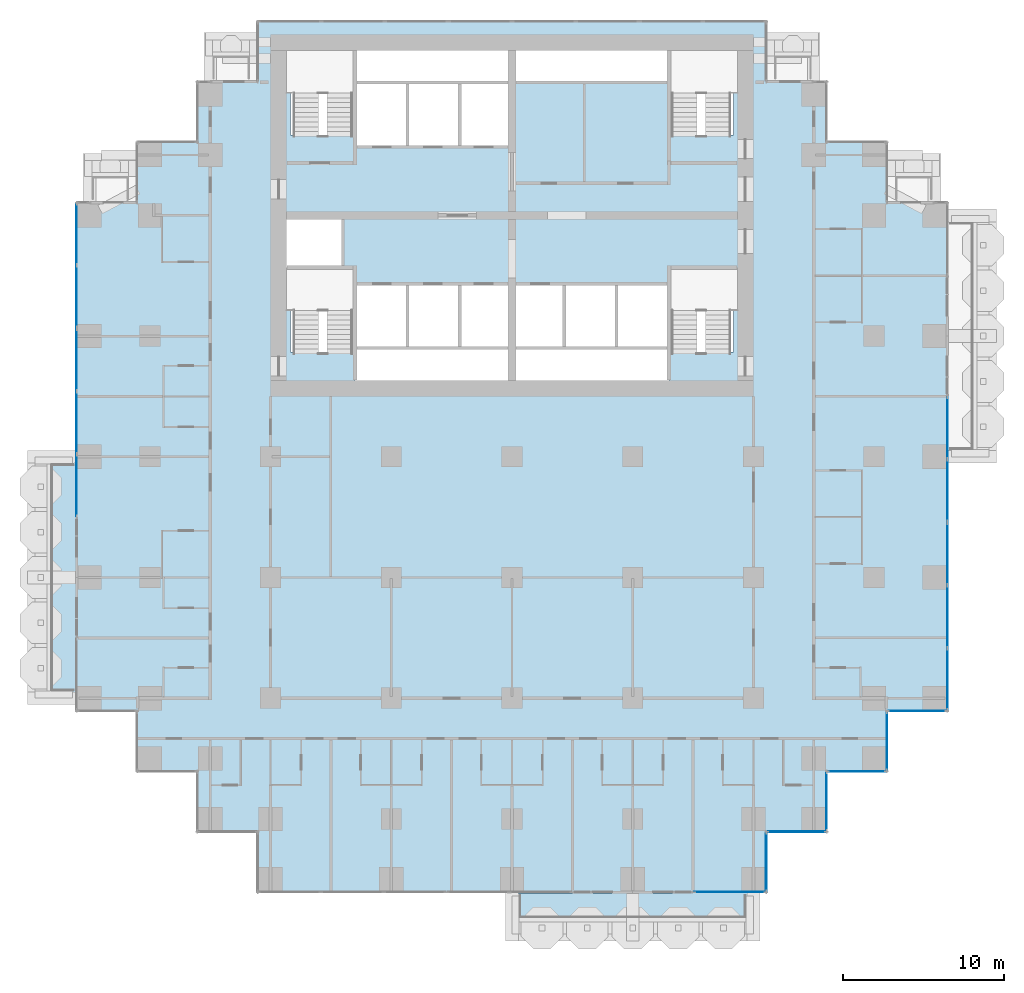
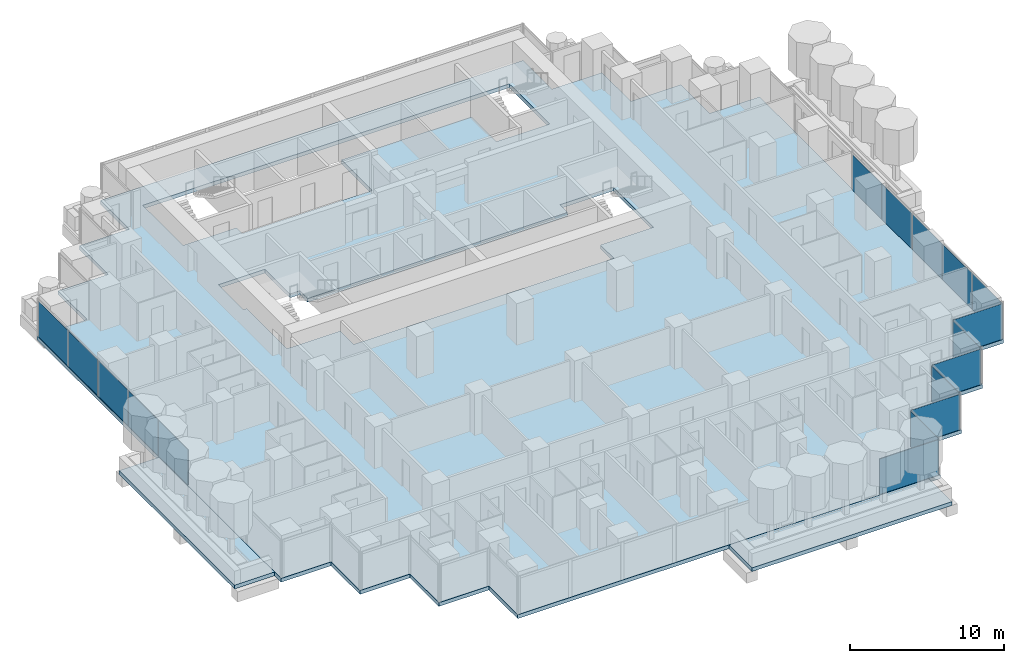
# One storey, part 8 of 19: 17 plates, 3 slabs, 11 elements without a shape of their own.
"""IFC4 building model written with IfcOpenShell, lengths in metres."""

from ifc_helpers import new_model, si_unit, direction, frame, origin, origin_2d, place, context, subcontext, project, spatial, polyline, rectangle, outline, extrude, material, layer, layer_set, type_object, element, aggregate, save


model = new_model("IFC4")

# Units and contexts
model_context = context("Model", 3, precision=1e-05, world=origin(), true_north=direction((0.0, 1.0)))
body_context = subcontext(model_context, "Body", "Model", "MODEL_VIEW")
ifc_project = project(units=[si_unit("LENGTHUNIT", "METRE"), si_unit("AREAUNIT", "SQUARE_METRE"), si_unit("VOLUMEUNIT", "CUBIC_METRE"), si_unit("PLANEANGLEUNIT", "RADIAN"), si_unit("MASSUNIT", "GRAM", prefix="KILO")], contexts=[model_context])

# Site, building, storey
site_placement = place(None, origin())
site = spatial("IfcSite", under=ifc_project, at=site_placement, CompositionType="ELEMENT")
building_placement = place(site_placement, origin())
building = spatial("IfcBuilding", under=site, at=building_placement, Name="Pilkhan Gate Tower", CompositionType="ELEMENT")
storey_placement = place(building_placement, frame((0.0, 0.0, 65.89990234375)))
storey = spatial("IfcBuildingStorey", under=building, at=storey_placement, Name="L14", CompositionType="ELEMENT", Elevation=65.89990234375)

# Slabs
ifc_material_1 = material(Name="Concrete C60/75", Category="concrete")
ifc_layer_1 = layer(ifc_material_1, 0.300048828125)
ifc_layer_set_1 = layer_set([ifc_layer_1], Name="Balcony tray slab TR300")
slab_type_1 = type_object("IfcSlabType", Name="Balcony tray slab TR300", PredefinedType="FLOOR", material=ifc_layer_set_1)
slab_1_placement = place(storey_placement, frame((0.0, 0.0, -0.2998046875)))
element("IfcSlab", 1, at=slab_1_placement, inside=storey, type_object=slab_type_1, Name="Balcony tray L14 S", PredefinedType="FLOOR", context=body_context, shape_type="SweptSolid", body=[
    extrude(outline(polyline([(90.0, 37.39990234375), (90.0, 40.39990234375), (75.0, 40.39990234375), (75.0, 37.39990234375), (90.0, 37.39990234375)])), origin(), (0.0, 0.0, 1.0), 0.2998046875),
])
slab_2_placement = place(storey_placement, frame((0.0, 0.0, -0.2998046875)))
element("IfcSlab", 2, at=slab_2_placement, inside=storey, type_object=slab_type_1, Name="Balcony tray L14 W", PredefinedType="FLOOR", context=body_context, shape_type="SweptSolid", body=[
    extrude(outline(polyline([(47.89990234375, 52.5), (47.89990234375, 67.5), (44.89990234375, 67.5), (44.89990234375, 52.5), (47.89990234375, 52.5)])), origin(), (0.0, 0.0, 1.0), 0.2998046875),
])
ifc_material_2 = material(Name="Concrete C40/50", Category="concrete")
ifc_layer_2 = layer(ifc_material_2, 0.300048828125)
ifc_layer_set_2 = layer_set([ifc_layer_2], Name="Flat plate slab FP300")
slab_type_2 = type_object("IfcSlabType", Name="Flat plate slab FP300", PredefinedType="FLOOR", material=ifc_layer_set_2)
slab_3_placement = place(storey_placement, frame((0.0, 0.0, -0.2998046875)))
element("IfcSlab", 3, at=slab_3_placement, inside=storey, type_object=slab_type_2, Name="Floor slab L14", PredefinedType="FLOOR", context=body_context, shape_type="SweptSolid", body=[
    extrude(outline(polyline([(98.35009765625, 47.89990234375), (94.60009765625, 47.89990234375), (94.60009765625, 44.14990234375), (90.85009765625, 44.14990234375), (90.85009765625, 40.39990234375), (59.14990234375, 40.39990234375), (59.14990234375, 44.14990234375), (55.39990234375, 44.14990234375), (55.39990234375, 47.89990234375), (51.64990234375, 47.89990234375), (51.64990234375, 51.64990234375), (47.89990234375, 51.64990234375), (47.89990234375, 83.35009765625), (51.64990234375, 83.35009765625), (51.64990234375, 87.10009765625), (55.39990234375, 87.10009765625), (55.39990234375, 90.85009765625), (59.14990234375, 90.85009765625), (59.14990234375, 94.60009765625), (90.85009765625, 94.60009765625), (90.85009765625, 90.85009765625), (94.60009765625, 90.85009765625), (94.60009765625, 87.10009765625), (98.35009765625, 87.10009765625), (98.35009765625, 83.35009765625), (102.10009765625, 83.35009765625), (102.10009765625, 51.64990234375), (98.35009765625, 51.64990234375), (98.35009765625, 47.89990234375)]), holes=[polyline([(65.25, 87.5), (65.25, 86.75), (68.5, 86.75), (71.75, 86.75), (75.0, 86.75), (75.0, 90.75), (84.75, 90.75), (84.75, 87.5), (88.75, 87.5), (88.75, 92.75), (84.75, 92.75), (75.0, 92.75), (65.25, 92.75), (61.25, 92.75), (61.25, 87.5), (65.25, 87.5)]), polyline([(75.0, 72.25), (84.75, 72.25), (84.75, 74.0), (88.75, 74.0), (88.75, 79.25), (84.75, 79.25), (84.75, 78.25), (81.5, 78.25), (78.25, 78.25), (75.0, 78.25), (71.75, 78.25), (68.5, 78.25), (65.25, 78.25), (65.25, 79.25), (64.5, 79.25), (64.5, 82.5), (61.25, 82.5), (61.0, 82.5), (61.0, 79.25), (61.25, 79.25), (61.25, 74.0), (65.25, 74.0), (65.25, 72.25), (75.0, 72.25)])]), origin(), (0.0, 0.0, 1.0), 0.2998046875),
])

# Curtain wall, plates
ifc_material_3 = material(Name="Pale anodised aluminium, clear low-iron double glazing", Category="aluminium")
curtain_wall_type = type_object("IfcCurtainWallType", Name="Hotel unitised curtain wall CW-H", PredefinedType="USERDEFINED", material=ifc_material_3)
curtain_wall_1_placement = place(storey_placement, origin())
curtain_wall_1 = element("IfcCurtainWall", 4, at=curtain_wall_1_placement, inside=storey, type_object=curtain_wall_type, Name="Hotel unitised curtain wall CW-H L14 E", ObjectType="UNITISED CURTAIN WALL", PredefinedType="USERDEFINED")
ifc_material_4 = material(Name="Clear low-iron double glazing", Category="glass")
ifc_layer_3 = layer(ifc_material_4, 0.035888671875)
ifc_layer_set_3 = layer_set([ifc_layer_3], Name="Glass panel CW-H 36")
plate_type = type_object("IfcPlateType", Name="Glass panel CW-H 36", PredefinedType="CURTAIN_PANEL", material=ifc_layer_set_3)
plate_1_placement = place(storey_placement, frame((102.044921875, 53.67578125, 0.0), z_axis=(0.0, 0.0, 1.0), x_axis=(0.0, 1.0, 0.0)))
plate_1 = element("IfcPlate", 5, at=plate_1_placement, type_object=plate_type, Name="CW-H panel 1", PredefinedType="CURTAIN_PANEL", context=body_context, shape_type="SweptSolid", body=[
    extrude(rectangle(XDim=3.8115234375, YDim=0.035888671875, at=origin_2d()), origin(), (0.0, 0.0, 1.0), 2.820068359375),
])
plate_2_placement = place(storey_placement, frame((102.044921875, 57.568603515625, 0.0), z_axis=(0.0, 0.0, 1.0), x_axis=(0.0, 1.0, 0.0)))
plate_2 = element("IfcPlate", 6, at=plate_2_placement, type_object=plate_type, Name="CW-H panel 2", PredefinedType="CURTAIN_PANEL", context=body_context, shape_type="SweptSolid", body=[
    extrude(rectangle(XDim=3.843994140625, YDim=0.035888671875, at=origin_2d()), origin(), (0.0, 0.0, 1.0), 2.820068359375),
])
plate_3_placement = place(storey_placement, frame((102.044921875, 61.461181640625, 0.0), z_axis=(0.0, 0.0, 1.0), x_axis=(0.0, 1.0, 0.0)))
plate_3 = element("IfcPlate", 7, at=plate_3_placement, type_object=plate_type, Name="CW-H panel 3", PredefinedType="CURTAIN_PANEL", context=body_context, shape_type="SweptSolid", body=[
    extrude(rectangle(XDim=3.8115234375, YDim=0.035888671875, at=origin_2d()), origin(), (0.0, 0.0, 1.0), 2.820068359375),
])
aggregate(curtain_wall_1, [plate_1, plate_2, plate_3])

curtain_wall_2_placement = place(storey_placement, origin())
curtain_wall_2 = element("IfcCurtainWall", 8, at=curtain_wall_2_placement, inside=storey, type_object=curtain_wall_type, Name="Hotel unitised curtain wall CW-H L14 E", ObjectType="UNITISED CURTAIN WALL", PredefinedType="USERDEFINED")
plate_4_placement = place(storey_placement, frame((102.044921875, 65.40283203125, 0.0), z_axis=(0.0, 0.0, 1.0), x_axis=(0.0, 1.0, 0.0)))
plate_4 = element("IfcPlate", 9, at=plate_4_placement, type_object=plate_type, Name="CW-H panel 1", PredefinedType="CURTAIN_PANEL", context=body_context, shape_type="SweptSolid", body=[
    extrude(rectangle(XDim=3.8115234375, YDim=0.035888671875, at=origin_2d()), origin(), (0.0, 0.0, 1.0), 2.820068359375),
])
plate_5_placement = place(storey_placement, frame((102.044921875, 69.279296875, 0.0), z_axis=(0.0, 0.0, 1.0), x_axis=(0.0, 1.0, 0.0)))
plate_5 = element("IfcPlate", 10, at=plate_5_placement, type_object=plate_type, Name="CW-H panel 2", PredefinedType="CURTAIN_PANEL", context=body_context, shape_type="SweptSolid", body=[
    extrude(rectangle(XDim=3.8115234375, YDim=0.035888671875, at=origin_2d()), origin(), (0.0, 0.0, 1.0), 2.820068359375),
])
aggregate(curtain_wall_2, [plate_4, plate_5])

curtain_wall_3_placement = place(storey_placement, origin())
curtain_wall_3 = element("IfcCurtainWall", 11, at=curtain_wall_3_placement, inside=storey, type_object=curtain_wall_type, Name="Hotel unitised curtain wall CW-H L14 W", ObjectType="UNITISED CURTAIN WALL", PredefinedType="USERDEFINED")
plate_6_placement = place(storey_placement, frame((47.955078125, 65.720703125, 0.0), z_axis=(0.0, 0.0, 1.0), x_axis=(0.0, 1.0, 0.0)))
plate_6 = element("IfcPlate", 12, at=plate_6_placement, type_object=plate_type, Name="CW-H panel 1", PredefinedType="CURTAIN_PANEL", context=body_context, shape_type="SweptSolid", body=[
    extrude(rectangle(XDim=3.8115234375, YDim=0.035888671875, at=origin_2d()), origin(), (0.0, 0.0, 1.0), 2.820068359375),
])
plate_7_placement = place(storey_placement, frame((47.955078125, 69.613525390625, 0.0), z_axis=(0.0, 0.0, 1.0), x_axis=(0.0, 1.0, 0.0)))
plate_7 = element("IfcPlate", 13, at=plate_7_placement, type_object=plate_type, Name="CW-H panel 2", PredefinedType="CURTAIN_PANEL", context=body_context, shape_type="SweptSolid", body=[
    extrude(rectangle(XDim=3.843994140625, YDim=0.035888671875, at=origin_2d()), origin(), (0.0, 0.0, 1.0), 2.820068359375),
])
plate_8_placement = place(storey_placement, frame((47.955078125, 73.50634765625, 0.0), z_axis=(0.0, 0.0, 1.0), x_axis=(0.0, 1.0, 0.0)))
plate_8 = element("IfcPlate", 14, at=plate_8_placement, type_object=plate_type, Name="CW-H panel 3", PredefinedType="CURTAIN_PANEL", context=body_context, shape_type="SweptSolid", body=[
    extrude(rectangle(XDim=3.8115234375, YDim=0.035888671875, at=origin_2d()), origin(), (0.0, 0.0, 1.0), 2.820068359375),
])
aggregate(curtain_wall_3, [plate_6, plate_7, plate_8])

curtain_wall_4_placement = place(storey_placement, origin())
curtain_wall_4 = element("IfcCurtainWall", 15, at=curtain_wall_4_placement, inside=storey, type_object=curtain_wall_type, Name="Hotel unitised curtain wall CW-H L14 W", ObjectType="UNITISED CURTAIN WALL", PredefinedType="USERDEFINED")
plate_9_placement = place(storey_placement, frame((47.955078125, 77.44775390625, 0.0), z_axis=(0.0, 0.0, 1.0), x_axis=(0.0, 1.0, 0.0)))
plate_9 = element("IfcPlate", 16, at=plate_9_placement, type_object=plate_type, Name="CW-H panel 1", PredefinedType="CURTAIN_PANEL", context=body_context, shape_type="SweptSolid", body=[
    extrude(rectangle(XDim=3.8115234375, YDim=0.035888671875, at=origin_2d()), origin(), (0.0, 0.0, 1.0), 2.820068359375),
])
plate_10_placement = place(storey_placement, frame((47.955078125, 81.32421875, 0.0), z_axis=(0.0, 0.0, 1.0), x_axis=(0.0, 1.0, 0.0)))
plate_10 = element("IfcPlate", 17, at=plate_10_placement, type_object=plate_type, Name="CW-H panel 2", PredefinedType="CURTAIN_PANEL", context=body_context, shape_type="SweptSolid", body=[
    extrude(rectangle(XDim=3.8115234375, YDim=0.035888671875, at=origin_2d()), origin(), (0.0, 0.0, 1.0), 2.820068359375),
])
aggregate(curtain_wall_4, [plate_9, plate_10])

# Curtain wall, plate
curtain_wall_5_placement = place(storey_placement, origin())
curtain_wall_5 = element("IfcCurtainWall", 18, at=curtain_wall_5_placement, inside=storey, type_object=curtain_wall_type, Name="Hotel unitised curtain wall CW-H L14 S", ObjectType="UNITISED CURTAIN WALL", PredefinedType="USERDEFINED")
plate_11_placement = place(storey_placement, frame((88.5224609375, 40.455078125, 0.0), z_axis=(0.0, 0.0, 1.0), x_axis=(1.0, 0.0, 0.0)))
plate_11 = element("IfcPlate", 19, at=plate_11_placement, type_object=plate_type, Name="CW-H panel 1", PredefinedType="CURTAIN_PANEL", context=body_context, shape_type="SweptSolid", body=[
    extrude(rectangle(XDim=4.4150390625, YDim=0.035888671875, at=origin_2d()), origin(), (0.0, 0.0, 1.0), 2.820068359375),
])
aggregate(curtain_wall_5, [plate_11])

curtain_wall_6_placement = place(storey_placement, origin())
curtain_wall_6 = element("IfcCurtainWall", 20, at=curtain_wall_6_placement, inside=storey, type_object=curtain_wall_type, Name="Hotel unitised curtain wall CW-H L14 E", ObjectType="UNITISED CURTAIN WALL", PredefinedType="USERDEFINED")
plate_12_placement = place(storey_placement, frame((90.794921875, 42.330078125, 0.0), z_axis=(0.0, 0.0, 1.0), x_axis=(0.0, 1.0, 0.0)))
plate_12 = element("IfcPlate", 21, at=plate_12_placement, type_object=plate_type, Name="CW-H panel 1", PredefinedType="CURTAIN_PANEL", context=body_context, shape_type="SweptSolid", body=[
    extrude(rectangle(XDim=3.6201171875, YDim=0.035888671875, at=origin_2d()), origin(), (0.0, 0.0, 1.0), 2.820068359375),
])
aggregate(curtain_wall_6, [plate_12])

curtain_wall_7_placement = place(storey_placement, origin())
curtain_wall_7 = element("IfcCurtainWall", 22, at=curtain_wall_7_placement, inside=storey, type_object=curtain_wall_type, Name="Hotel unitised curtain wall CW-H L14 S", ObjectType="UNITISED CURTAIN WALL", PredefinedType="USERDEFINED")
plate_13_placement = place(storey_placement, frame((92.669921875, 44.205078125, 0.0), z_axis=(0.0, 0.0, 1.0), x_axis=(1.0, 0.0, 0.0)))
plate_13 = element("IfcPlate", 23, at=plate_13_placement, type_object=plate_type, Name="CW-H panel 1", PredefinedType="CURTAIN_PANEL", context=body_context, shape_type="SweptSolid", body=[
    extrude(rectangle(XDim=3.6201171875, YDim=0.035888671875, at=origin_2d()), origin(), (0.0, 0.0, 1.0), 2.820068359375),
])
aggregate(curtain_wall_7, [plate_13])

curtain_wall_8_placement = place(storey_placement, origin())
curtain_wall_8 = element("IfcCurtainWall", 24, at=curtain_wall_8_placement, inside=storey, type_object=curtain_wall_type, Name="Hotel unitised curtain wall CW-H L14 E", ObjectType="UNITISED CURTAIN WALL", PredefinedType="USERDEFINED")
plate_14_placement = place(storey_placement, frame((94.544921875, 46.080078125, 0.0), z_axis=(0.0, 0.0, 1.0), x_axis=(0.0, 1.0, 0.0)))
plate_14 = element("IfcPlate", 25, at=plate_14_placement, type_object=plate_type, Name="CW-H panel 1", PredefinedType="CURTAIN_PANEL", context=body_context, shape_type="SweptSolid", body=[
    extrude(rectangle(XDim=3.6201171875, YDim=0.035888671875, at=origin_2d()), origin(), (0.0, 0.0, 1.0), 2.820068359375),
])
aggregate(curtain_wall_8, [plate_14])

curtain_wall_9_placement = place(storey_placement, origin())
curtain_wall_9 = element("IfcCurtainWall", 26, at=curtain_wall_9_placement, inside=storey, type_object=curtain_wall_type, Name="Hotel unitised curtain wall CW-H L14 S", ObjectType="UNITISED CURTAIN WALL", PredefinedType="USERDEFINED")
plate_15_placement = place(storey_placement, frame((96.419921875, 47.955078125, 0.0), z_axis=(0.0, 0.0, 1.0), x_axis=(1.0, 0.0, 0.0)))
plate_15 = element("IfcPlate", 27, at=plate_15_placement, type_object=plate_type, Name="CW-H panel 1", PredefinedType="CURTAIN_PANEL", context=body_context, shape_type="SweptSolid", body=[
    extrude(rectangle(XDim=3.6201171875, YDim=0.035888671875, at=origin_2d()), origin(), (0.0, 0.0, 1.0), 2.820068359375),
])
aggregate(curtain_wall_9, [plate_15])

curtain_wall_10_placement = place(storey_placement, origin())
curtain_wall_10 = element("IfcCurtainWall", 28, at=curtain_wall_10_placement, inside=storey, type_object=curtain_wall_type, Name="Hotel unitised curtain wall CW-H L14 E", ObjectType="UNITISED CURTAIN WALL", PredefinedType="USERDEFINED")
plate_16_placement = place(storey_placement, frame((98.294921875, 49.830078125, 0.0), z_axis=(0.0, 0.0, 1.0), x_axis=(0.0, 1.0, 0.0)))
plate_16 = element("IfcPlate", 29, at=plate_16_placement, type_object=plate_type, Name="CW-H panel 1", PredefinedType="CURTAIN_PANEL", context=body_context, shape_type="SweptSolid", body=[
    extrude(rectangle(XDim=3.6201171875, YDim=0.035888671875, at=origin_2d()), origin(), (0.0, 0.0, 1.0), 2.820068359375),
])
aggregate(curtain_wall_10, [plate_16])

curtain_wall_11_placement = place(storey_placement, origin())
curtain_wall_11 = element("IfcCurtainWall", 30, at=curtain_wall_11_placement, inside=storey, type_object=curtain_wall_type, Name="Hotel unitised curtain wall CW-H L14 S", ObjectType="UNITISED CURTAIN WALL", PredefinedType="USERDEFINED")
plate_17_placement = place(storey_placement, frame((100.169921875, 51.705078125, 0.0), z_axis=(0.0, 0.0, 1.0), x_axis=(1.0, 0.0, 0.0)))
plate_17 = element("IfcPlate", 31, at=plate_17_placement, type_object=plate_type, Name="CW-H panel 1", PredefinedType="CURTAIN_PANEL", context=body_context, shape_type="SweptSolid", body=[
    extrude(rectangle(XDim=3.6201171875, YDim=0.035888671875, at=origin_2d()), origin(), (0.0, 0.0, 1.0), 2.820068359375),
])
aggregate(curtain_wall_11, [plate_17])

save(model, "model.ifc")
